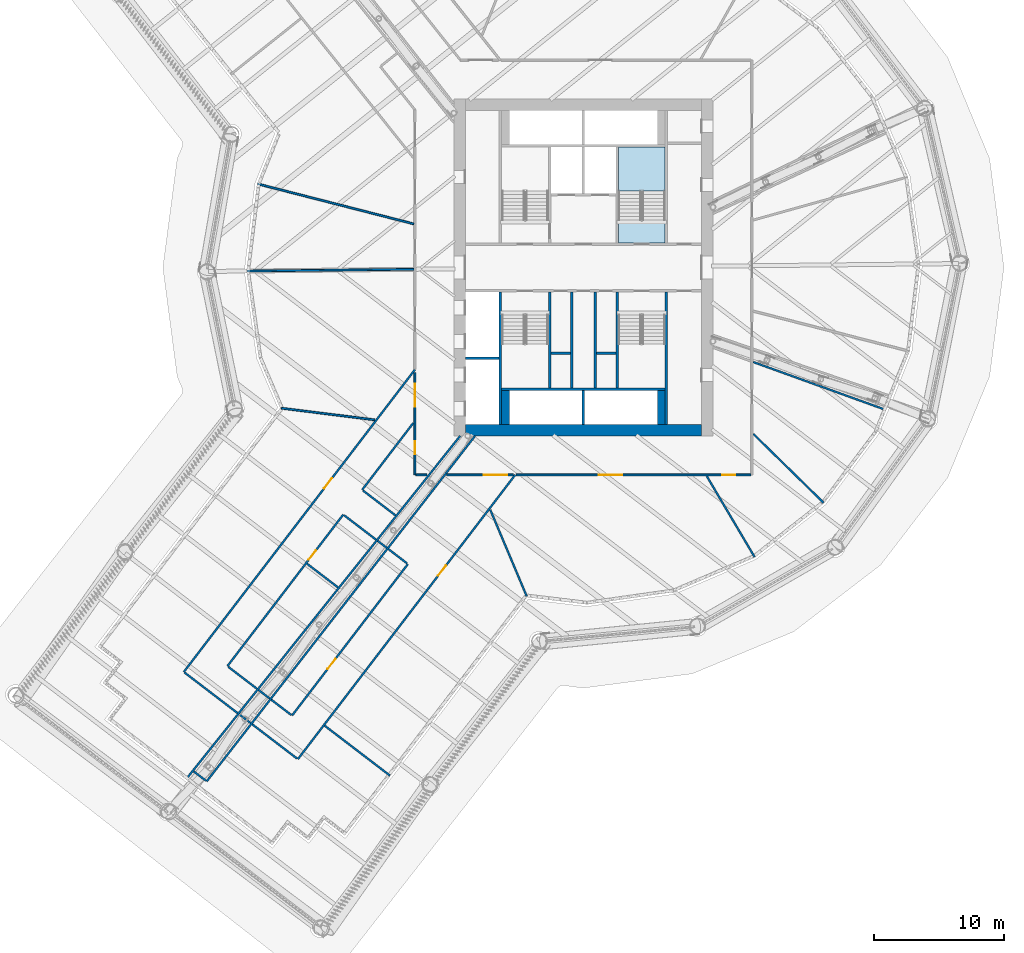
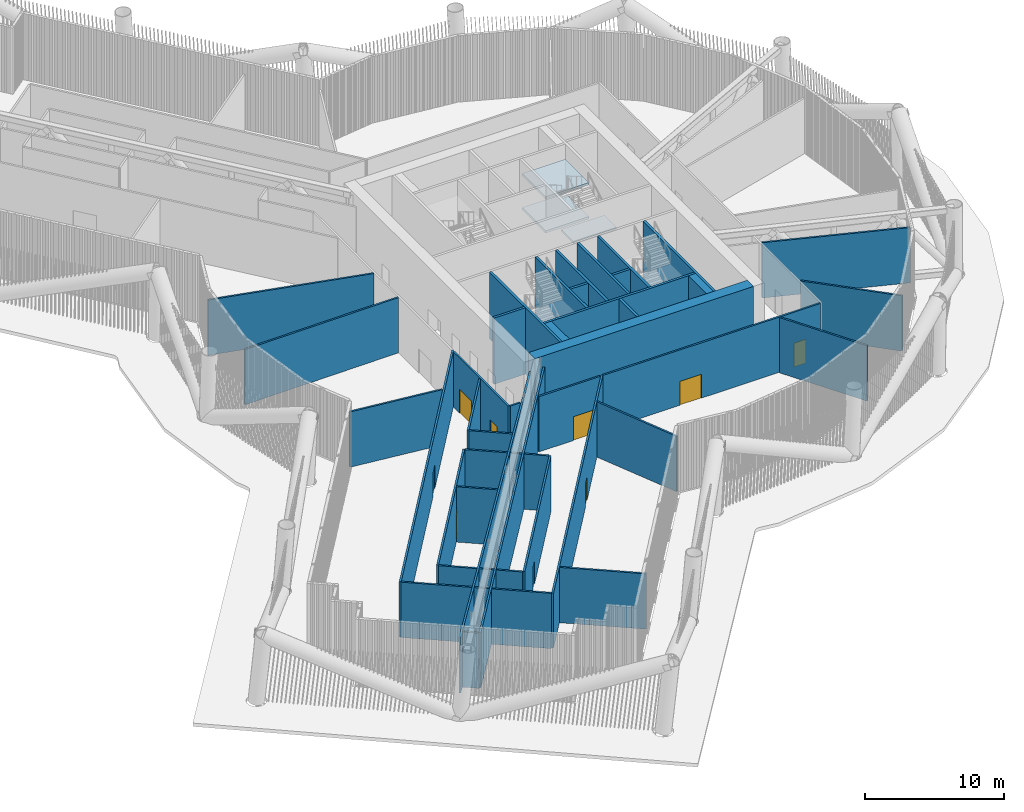
# One storey, part 15 of 48: 45 walls, 9 doors, 3 slabs, 9 openings, 1 element without a shape of its own.
"""IFC4 building model written with IfcOpenShell, lengths in metres."""

from ifc_helpers import new_model, si_unit, direction, frame, frame_2d, origin, place, context, subcontext, project, spatial, polyline, rectangle, outline, extrude, material, layer, layer_set, type_object, element, fill, aggregate, save


model = new_model("IFC4")

# Units and contexts
model_context = context("Model", 3, precision=1e-05, world=origin(), true_north=direction((0.0, 1.0)))
body_context = subcontext(model_context, "Body", "Model", "MODEL_VIEW")
ifc_project = project(units=[si_unit("LENGTHUNIT", "METRE"), si_unit("AREAUNIT", "SQUARE_METRE"), si_unit("VOLUMEUNIT", "CUBIC_METRE"), si_unit("PLANEANGLEUNIT", "RADIAN"), si_unit("MASSUNIT", "GRAM", prefix="KILO")], contexts=[model_context])

# Site, building, storey
site_placement = place(None, origin())
site = spatial("IfcSite", under=ifc_project, at=site_placement, CompositionType="ELEMENT")
building_placement = place(site_placement, origin())
building = spatial("IfcBuilding", under=site, at=building_placement, Name="Tarsis Ring Headquarters", CompositionType="ELEMENT")
storey_placement = place(building_placement, frame((0.0, 0.0, 34.0)))
storey = spatial("IfcBuildingStorey", under=building, at=storey_placement, Name="L06", CompositionType="ELEMENT", Elevation=34.0)

# Stair, slabs
ifc_material_1 = material(Name="Core stair 1760")
stair_type = type_object("IfcStairType", Name="Core stair 1760", PredefinedType="HALF_TURN_STAIR", material=ifc_material_1)
stair_placement = place(storey_placement, origin())
stair = element("IfcStair", 1, at=stair_placement, inside=storey, type_object=stair_type, Name="L06 Exit stair B", PredefinedType="HALF_TURN_STAIR")
ifc_material_2 = material(Name="Concrete C40/50", Category="concrete")
ifc_layer_1 = layer(ifc_material_2, 0.199951171875)
ifc_layer_set_1 = layer_set([ifc_layer_1], Name="Core stair landing 200")
slab_type = type_object("IfcSlabType", Name="Core stair landing 200", PredefinedType="LANDING", material=ifc_layer_set_1)
slab_1_placement = place(storey_placement, frame((0.0, 0.0, 1.300048828125)))
slab_1 = element("IfcSlab", 2, at=slab_1_placement, type_object=slab_type, Name="Stair ST2 landing 1", PredefinedType="LANDING", context=body_context, shape_type="SweptSolid", body=[
    extrude(outline(polyline([(6.300048828125, 5.89990234375), (6.300048828125, 9.300048828125), (2.699951171875, 9.300048828125), (2.699951171875, 5.89990234375), (6.300048828125, 5.89990234375)])), origin(), (0.0, 0.0, 1.0), 0.199951171875),
])
slab_2_placement = place(storey_placement, frame((0.0, 0.0, 2.800048828125)))
slab_2 = element("IfcSlab", 3, at=slab_2_placement, type_object=slab_type, Name="Stair ST2 landing 2", PredefinedType="LANDING", context=body_context, shape_type="SweptSolid", body=[
    extrude(outline(polyline([(6.300048828125, 1.89990234375), (6.300048828125, 3.659912109375), (2.699951171875, 3.659912109375), (2.699951171875, 1.89990234375), (6.300048828125, 1.89990234375)])), origin(), (0.0, 0.0, 1.0), 0.199951171875),
])
slab_3_placement = place(storey_placement, frame((0.0, 0.0, 4.300048828125)))
slab_3 = element("IfcSlab", 4, at=slab_3_placement, type_object=slab_type, Name="Stair ST2 landing 3", PredefinedType="LANDING", context=body_context, shape_type="SweptSolid", body=[
    extrude(outline(polyline([(6.300048828125, 5.89990234375), (6.300048828125, 9.300048828125), (2.699951171875, 9.300048828125), (2.699951171875, 5.89990234375), (6.300048828125, 5.89990234375)])), origin(), (0.0, 0.0, 1.0), 0.199951171875),
])
aggregate(stair, [slab_1, slab_2, slab_3])

# Walls
ifc_material_3 = material(Name="Blockwork", Category="masonry")
ifc_layer_2 = layer(ifc_material_3, 0.199951171875)
ifc_layer_set_2 = layer_set([ifc_layer_2], Name="Core blockwork wall 200")
wall_type_1 = type_object("IfcWallType", Name="Core blockwork wall 200", PredefinedType="PARTITIONING", material=ifc_layer_set_2)
for number, where, z_axis, x_axis, name in (
    (5, (-2.5, -6.60009765625, 0.0), (0.0, 0.0, 1.0), (1.0, 0.0, 0.0), "Core partition SP1"),
    (6, (1.0, -6.60009765625, 0.0), (0.0, 0.0, 1.0), (1.0, 0.0, 0.0), "Core partition SP3"),
):
    element("IfcWall", number, at=place(storey_placement, frame(where, z_axis=z_axis, x_axis=x_axis)), inside=storey, type_object=wall_type_1, Name=name, PredefinedType="PARTITIONING", context=body_context, shape_type="SweptSolid", body=[
        extrude(rectangle(XDim=1.5, YDim=0.199951171875, at=frame_2d((0.75, 0.0))), origin(), (0.0, 0.0, 1.0), 5.840087890625),
    ])
for number, where, z_axis, x_axis, name in (
    (7, (-0.89990234375, -9.300048828125, 0.0), (0.0, 0.0, 1.0), (0.0, 1.0, 0.0), "Core partition SV1"),
    (8, (0.89990234375, -9.300048828125, 0.0), (0.0, 0.0, 1.0), (0.0, 1.0, 0.0), "Core partition SV2"),
):
    element("IfcWall", number, at=place(storey_placement, frame(where, z_axis=z_axis, x_axis=x_axis)), inside=storey, type_object=wall_type_1, Name=name, PredefinedType="PARTITIONING", context=body_context, shape_type="SweptSolid", body=[
        extrude(rectangle(XDim=7.400146484375, YDim=0.199951171875, at=frame_2d((3.7001953125, 0.0))), origin(), (0.0, 0.0, 1.0), 5.840087890625),
    ])
ifc_material_4 = material(Name="Concrete C60/75", Category="concrete")
ifc_layer_3 = layer(ifc_material_4, 0.89990234375)
ifc_layer_set_3 = layer_set([ifc_layer_3], Name="Core wall 900 C60/75")
wall_type_2 = type_object("IfcWallType", Name="Core wall 900 C60/75", PredefinedType="SHEAR", material=ifc_layer_set_3)
wall_1_placement = place(storey_placement, frame((-9.10009765625, -12.550048828125, 0.0), z_axis=(0.0, 0.0, 1.0), x_axis=(1.0, 0.0, 0.0)))
element("IfcWall", 9, at=wall_1_placement, inside=storey, type_object=wall_type_2, Name="Core wall OS", PredefinedType="SHEAR", context=body_context, shape_type="SweptSolid", body=[
    extrude(rectangle(XDim=18.2001953125, YDim=0.89990234375, at=frame_2d((9.10009765625, 0.0))), origin(), (0.0, 0.0, 1.0), 5.840087890625),
])
ifc_material_5 = material(Name="Gypsum board on steel studs", Category="steel")
ifc_layer_4 = layer(ifc_material_5, 0.14990234375)
ifc_layer_set_4 = layer_set([ifc_layer_4], Name="FL partition 150 EI 120 H4870")
wall_type_3 = type_object("IfcWallType", Name="FL partition 150 EI 120 H4870", PredefinedType="PARTITIONING", material=ifc_layer_set_4)
wall_2_placement = place(storey_placement, frame((-29.06640625, -39.646484375, 0.0), z_axis=(0.0, 0.0, 1.0), x_axis=(0.61350877776, 0.789687900129, 0.0)))
element("IfcWall", 10, at=wall_2_placement, inside=storey, type_object=wall_type_3, Name="Partition PW2H487", PredefinedType="PARTITIONING", context=body_context, shape_type="SweptSolid", body=[
    extrude(rectangle(XDim=33.745849609375, YDim=0.14990234375, at=frame_2d((16.873046875, 0.0))), origin(), (0.0, 0.0, 1.0), 4.8701171875),
])
wall_3_placement = place(storey_placement, frame((-30.631591796875, -39.456787109375, 0.0), z_axis=(0.0, 0.0, 1.0), x_axis=(0.623923510013, 0.781485414869, 0.0)))
element("IfcWall", 11, at=wall_3_placement, inside=storey, type_object=wall_type_3, Name="Partition PW2H487", PredefinedType="PARTITIONING", context=body_context, shape_type="SweptSolid", body=[
    extrude(rectangle(XDim=33.8564453125, YDim=0.14990234375, at=frame_2d((16.92822265625, 0.0))), origin(), (0.0, 0.0, 1.0), 4.8701171875),
])

# Wall, opening, door
wall_4_placement = place(storey_placement, frame((-30.833984375, -31.2080078125, 0.0), z_axis=(0.0, 0.0, 1.0), x_axis=(0.607375108816, 0.794415179356, 0.0)))
wall_4 = element("IfcWall", 12, at=wall_4_placement, inside=storey, type_object=wall_type_3, Name="Partition PW2H487", PredefinedType="PARTITIONING", context=body_context, shape_type="SweptSolid", body=[
    extrude(rectangle(XDim=29.3623046875, YDim=0.14990234375, at=frame_2d((14.68115234375, 0.0))), origin(), (0.0, 0.0, 1.0), 4.8701171875),
])
opening_1_placement = place(wall_4_placement, frame((17.820068359375, 0.0, 0.0)))
opening_1 = element("IfcOpeningElement", 13, at=opening_1_placement, cuts=wall_4, Name="Opening D06.05", PredefinedType="OPENING", context=body_context, shape_type="SweptSolid", body=[
    extrude(rectangle(XDim=1.0, YDim=2.10009765625, at=frame_2d((0.5, 1.050048828125))), frame((0.0, 0.0849609375, 0.0), z_axis=(0.0, -1.0, 0.0), x_axis=(1.0, 0.0, 0.0)), (0.0, 0.0, 1.0), 0.169921875),
])
ifc_material_6 = material(Name="Fire-rated timber door leaf in steel frame", Category="steel")
door_type_1 = type_object("IfcDoorType", Name="FL door FD120-1000", OperationType="NOTDEFINED", PredefinedType="DOOR", material=ifc_material_6)
door_1_placement = place(opening_1_placement, origin())
door_1 = element("IfcDoor", 14, at=door_1_placement, inside=storey, type_object=door_type_1, Name="Door D06.05", OperationType="SINGLE_SWING_LEFT", OverallHeight=2.10009765625, OverallWidth=1.0, PredefinedType="DOOR", context=body_context, shape_type="SweptSolid", body=[
    extrude(rectangle(XDim=1.0, YDim=2.10009765625, at=frame_2d((0.5, 1.050048828125))), frame((0.0, 0.02490234375, 0.0), z_axis=(0.0, -1.0, 0.0), x_axis=(1.0, 0.0, 0.0)), (0.0, 0.0, 1.0), 0.050048828125),
])
fill(opening_1, door_1)

# Wall, openings, doors
wall_5_placement = place(storey_placement, frame((-13.0, -15.9990234375, 0.0), z_axis=(0.0, 0.0, 1.0), x_axis=(0.0, 1.0, 0.0)))
wall_5 = element("IfcWall", 15, at=wall_5_placement, inside=storey, type_object=wall_type_3, Name="Partition PW2H487", PredefinedType="PARTITIONING", context=body_context, shape_type="SweptSolid", body=[
    extrude(rectangle(XDim=7.895263671875, YDim=0.14990234375, at=frame_2d((3.94775390625, 0.0))), origin(), (0.0, 0.0, 1.0), 4.8701171875),
])
opening_2_placement = place(wall_5_placement, frame((1.582763671875, 0.0, 0.0)))
opening_2 = element("IfcOpeningElement", 16, at=opening_2_placement, cuts=wall_5, Name="Opening D06.17", PredefinedType="OPENING", context=body_context, shape_type="SweptSolid", body=[
    extrude(rectangle(XDim=1.0, YDim=2.10009765625, at=frame_2d((0.5, 1.050048828125))), frame((0.0, 0.0849609375, 0.0), z_axis=(0.0, -1.0, 0.0), x_axis=(1.0, 0.0, 0.0)), (0.0, 0.0, 1.0), 0.169921875),
])
opening_3_placement = place(wall_5_placement, frame((5.2412109375, 0.0, 0.0)))
opening_3 = element("IfcOpeningElement", 17, at=opening_3_placement, cuts=wall_5, Name="Opening D06.21", PredefinedType="OPENING", context=body_context, shape_type="SweptSolid", body=[
    extrude(rectangle(XDim=1.800048828125, YDim=2.10009765625, at=frame_2d((0.89990234375, 1.050048828125))), frame((0.0, 0.0849609375, 0.0), z_axis=(0.0, -1.0, 0.0), x_axis=(1.0, 0.0, 0.0)), (0.0, 0.0, 1.0), 0.169921875),
])
door_2_placement = place(opening_2_placement, origin())
door_2 = element("IfcDoor", 18, at=door_2_placement, inside=storey, type_object=door_type_1, Name="Door D06.17", OperationType="SINGLE_SWING_LEFT", OverallHeight=2.10009765625, OverallWidth=1.0, PredefinedType="DOOR", context=body_context, shape_type="SweptSolid", body=[
    extrude(rectangle(XDim=1.0, YDim=2.10009765625, at=frame_2d((0.5, 1.050048828125))), frame((0.0, 0.02490234375, 0.0), z_axis=(0.0, -1.0, 0.0), x_axis=(1.0, 0.0, 0.0)), (0.0, 0.0, 1.0), 0.050048828125),
])
fill(opening_2, door_2)
door_type_2 = type_object("IfcDoorType", Name="FL door FD120-1800", OperationType="DOUBLE_DOOR_SINGLE_SWING", PredefinedType="DOOR", material=ifc_material_6)
door_3_placement = place(opening_3_placement, origin())
door_3 = element("IfcDoor", 19, at=door_3_placement, inside=storey, type_object=door_type_2, Name="Door D06.21", OperationType="DOUBLE_DOOR_SINGLE_SWING", OverallHeight=2.10009765625, OverallWidth=1.800048828125, PredefinedType="DOOR", context=body_context, shape_type="SweptSolid", body=[
    extrude(rectangle(XDim=1.800048828125, YDim=2.10009765625, at=frame_2d((0.89990234375, 1.050048828125))), frame((0.0, 0.02490234375, 0.0), z_axis=(0.0, -1.0, 0.0), x_axis=(1.0, 0.0, 0.0)), (0.0, 0.0, 1.0), 0.050048828125),
])
fill(opening_3, door_3)

# Wall, opening, door
wall_6_placement = place(storey_placement, frame((-22.031982421875, -37.937744140625, 0.0), z_axis=(0.0, 0.0, 1.0), x_axis=(0.607376598349, 0.794414040522, 0.0)))
wall_6 = element("IfcWall", 20, at=wall_6_placement, inside=storey, type_object=wall_type_3, Name="Partition PW2H487", PredefinedType="PARTITIONING", context=body_context, shape_type="SweptSolid", body=[
    extrude(rectangle(XDim=27.614990234375, YDim=0.14990234375, at=frame_2d((13.8076171875, 0.0))), origin(), (0.0, 0.0, 1.0), 4.8701171875),
])
opening_4_placement = place(wall_6_placement, frame((17.81982421875, 0.0, 0.0)))
opening_4 = element("IfcOpeningElement", 21, at=opening_4_placement, cuts=wall_6, Name="Opening D06.16", PredefinedType="OPENING", context=body_context, shape_type="SweptSolid", body=[
    extrude(rectangle(XDim=1.0, YDim=2.10009765625, at=frame_2d((0.5, 1.050048828125))), frame((0.0, 0.0849609375, 0.0), z_axis=(0.0, -1.0, 0.0), x_axis=(1.0, 0.0, 0.0)), (0.0, 0.0, 1.0), 0.169921875),
])
door_4_placement = place(opening_4_placement, origin())
door_4 = element("IfcDoor", 22, at=door_4_placement, inside=storey, type_object=door_type_1, Name="Door D06.16", OperationType="SINGLE_SWING_RIGHT", OverallHeight=2.10009765625, OverallWidth=1.0, PredefinedType="DOOR", context=body_context, shape_type="SweptSolid", body=[
    extrude(rectangle(XDim=1.0, YDim=2.10009765625, at=frame_2d((0.5, 1.050048828125))), frame((0.0, 0.02490234375, 0.0), z_axis=(0.0, -1.0, 0.0), x_axis=(1.0, 0.0, 0.0)), (0.0, 0.0, 1.0), 0.050048828125),
])
fill(opening_4, door_4)

wall_7_placement = place(storey_placement, frame((-10.55078125, -16.0, 0.0), z_axis=(0.0, 0.0, 1.0), x_axis=(1.0, 0.0, 0.0)))
wall_7 = element("IfcWall", 23, at=wall_7_placement, inside=storey, type_object=wall_type_3, Name="Partition PW2H487", PredefinedType="PARTITIONING", context=body_context, shape_type="SweptSolid", body=[
    extrude(rectangle(XDim=5.139892578125, YDim=0.14990234375, at=frame_2d((2.56982421875, 0.0))), origin(), (0.0, 0.0, 1.0), 4.8701171875),
])
opening_5_placement = place(wall_7_placement, frame((2.881103515625, 0.0, 0.0)))
opening_5 = element("IfcOpeningElement", 24, at=opening_5_placement, cuts=wall_7, Name="Opening D06.20", PredefinedType="OPENING", context=body_context, shape_type="SweptSolid", body=[
    extrude(rectangle(XDim=1.800048828125, YDim=2.10009765625, at=frame_2d((0.89990234375, 1.050048828125))), frame((0.0, 0.0849609375, 0.0), z_axis=(0.0, -1.0, 0.0), x_axis=(1.0, 0.0, 0.0)), (0.0, 0.0, 1.0), 0.169921875),
])
door_5_placement = place(opening_5_placement, origin())
door_5 = element("IfcDoor", 25, at=door_5_placement, inside=storey, type_object=door_type_2, Name="Door D06.20", OperationType="DOUBLE_DOOR_SINGLE_SWING", OverallHeight=2.10009765625, OverallWidth=1.800048828125, PredefinedType="DOOR", context=body_context, shape_type="SweptSolid", body=[
    extrude(rectangle(XDim=1.800048828125, YDim=2.10009765625, at=frame_2d((0.89990234375, 1.050048828125))), frame((0.0, 0.02490234375, 0.0), z_axis=(0.0, -1.0, 0.0), x_axis=(1.0, 0.0, 0.0)), (0.0, 0.0, 1.0), 0.050048828125),
])
fill(opening_5, door_5)

# Wall, openings, doors
wall_8_placement = place(storey_placement, frame((-5.19970703125, -16.0, 0.0), z_axis=(0.0, 0.0, 1.0), x_axis=(1.0, 0.0, 0.0)))
wall_8 = element("IfcWall", 26, at=wall_8_placement, inside=storey, type_object=wall_type_3, Name="Partition PW2H487", PredefinedType="PARTITIONING", context=body_context, shape_type="SweptSolid", body=[
    extrude(rectangle(XDim=18.11962890625, YDim=0.14990234375, at=frame_2d((9.059814453125, 0.0))), origin(), (0.0, 0.0, 1.0), 4.8701171875),
])
opening_6_placement = place(wall_8_placement, frame((15.930908203125, 0.0, 0.0)))
opening_6 = element("IfcOpeningElement", 27, at=opening_6_placement, cuts=wall_8, Name="Opening D06.14", PredefinedType="OPENING", context=body_context, shape_type="SweptSolid", body=[
    extrude(rectangle(XDim=1.0, YDim=2.10009765625, at=frame_2d((0.5, 1.050048828125))), frame((0.0, 0.0849609375, 0.0), z_axis=(0.0, -1.0, 0.0), x_axis=(1.0, 0.0, 0.0)), (0.0, 0.0, 1.0), 0.169921875),
])
opening_7_placement = place(wall_8_placement, frame((6.401123046875, 0.0, 0.0)))
opening_7 = element("IfcOpeningElement", 28, at=opening_7_placement, cuts=wall_8, Name="Opening D06.15", PredefinedType="OPENING", context=body_context, shape_type="SweptSolid", body=[
    extrude(rectangle(XDim=1.800048828125, YDim=2.10009765625, at=frame_2d((0.89990234375, 1.050048828125))), frame((0.0, 0.0849609375, 0.0), z_axis=(0.0, -1.0, 0.0), x_axis=(1.0, 0.0, 0.0)), (0.0, 0.0, 1.0), 0.169921875),
])
door_6_placement = place(opening_6_placement, origin())
door_6 = element("IfcDoor", 29, at=door_6_placement, inside=storey, type_object=door_type_1, Name="Door D06.14", OperationType="SINGLE_SWING_RIGHT", OverallHeight=2.10009765625, OverallWidth=1.0, PredefinedType="DOOR", context=body_context, shape_type="SweptSolid", body=[
    extrude(rectangle(XDim=1.0, YDim=2.10009765625, at=frame_2d((0.5, 1.050048828125))), frame((0.0, 0.02490234375, 0.0), z_axis=(0.0, -1.0, 0.0), x_axis=(1.0, 0.0, 0.0)), (0.0, 0.0, 1.0), 0.050048828125),
])
fill(opening_6, door_6)
door_7_placement = place(opening_7_placement, origin())
door_7 = element("IfcDoor", 30, at=door_7_placement, inside=storey, type_object=door_type_2, Name="Door D06.15", OperationType="DOUBLE_DOOR_SINGLE_SWING", OverallHeight=2.10009765625, OverallWidth=1.800048828125, PredefinedType="DOOR", context=body_context, shape_type="SweptSolid", body=[
    extrude(rectangle(XDim=1.800048828125, YDim=2.10009765625, at=frame_2d((0.89990234375, 1.050048828125))), frame((0.0, 0.02490234375, 0.0), z_axis=(0.0, -1.0, 0.0), x_axis=(1.0, 0.0, 0.0)), (0.0, 0.0, 1.0), 0.050048828125),
])
fill(opening_7, door_7)

# Wall, opening, door
wall_9_placement = place(storey_placement, frame((-22.480712890625, -34.573486328125, 0.0), z_axis=(0.0, 0.0, 1.0), x_axis=(0.607367610453, 0.79442091222, 0.0)))
wall_9 = element("IfcWall", 31, at=wall_9_placement, inside=storey, type_object=wall_type_3, Name="Partition PW2H487", PredefinedType="PARTITIONING", context=body_context, shape_type="SweptSolid", body=[
    extrude(rectangle(XDim=14.719970703125, YDim=0.14990234375, at=frame_2d((7.35986328125, 0.0))), origin(), (0.0, 0.0, 1.0), 4.8701171875),
])
opening_8_placement = place(wall_9_placement, frame((4.505859375, 0.0, 0.0)))
opening_8 = element("IfcOpeningElement", 32, at=opening_8_placement, cuts=wall_9, Name="Opening D06.18", PredefinedType="OPENING", context=body_context, shape_type="SweptSolid", body=[
    extrude(rectangle(XDim=1.0, YDim=2.10009765625, at=frame_2d((0.5, 1.050048828125))), frame((0.0, 0.0849609375, 0.0), z_axis=(0.0, -1.0, 0.0), x_axis=(1.0, 0.0, 0.0)), (0.0, 0.0, 1.0), 0.169921875),
])
door_8_placement = place(opening_8_placement, origin())
door_8 = element("IfcDoor", 33, at=door_8_placement, inside=storey, type_object=door_type_1, Name="Door D06.18", OperationType="SINGLE_SWING_RIGHT", OverallHeight=2.10009765625, OverallWidth=1.0, PredefinedType="DOOR", context=body_context, shape_type="SweptSolid", body=[
    extrude(rectangle(XDim=1.0, YDim=2.10009765625, at=frame_2d((0.5, 1.050048828125))), frame((0.0, 0.02490234375, 0.0), z_axis=(0.0, -1.0, 0.0), x_axis=(1.0, 0.0, 0.0)), (0.0, 0.0, 1.0), 0.050048828125),
])
fill(opening_8, door_8)

wall_10_placement = place(storey_placement, frame((-27.468505859375, -30.757568359375, 0.0), z_axis=(0.0, 0.0, 1.0), x_axis=(0.607371293255, 0.794418096552, 0.0)))
wall_10 = element("IfcWall", 34, at=wall_10_placement, inside=storey, type_object=wall_type_3, Name="Partition PW2H487", PredefinedType="PARTITIONING", context=body_context, shape_type="SweptSolid", body=[
    extrude(rectangle(XDim=14.7177734375, YDim=0.14990234375, at=frame_2d((7.35888671875, 0.0))), origin(), (0.0, 0.0, 1.0), 4.8701171875),
])
opening_9_placement = place(wall_10_placement, frame((10.3330078125, 0.0, 0.0)))
opening_9 = element("IfcOpeningElement", 35, at=opening_9_placement, cuts=wall_10, Name="Opening D06.19", PredefinedType="OPENING", context=body_context, shape_type="SweptSolid", body=[
    extrude(rectangle(XDim=0.89990234375, YDim=2.10009765625, at=frame_2d((0.449951171875, 1.050048828125))), frame((0.0, 0.0849609375, 0.0), z_axis=(0.0, -1.0, 0.0), x_axis=(1.0, 0.0, 0.0)), (0.0, 0.0, 1.0), 0.169921875),
])
door_type_3 = type_object("IfcDoorType", Name="FL door FD120-900", OperationType="NOTDEFINED", PredefinedType="DOOR", material=ifc_material_6)
door_9_placement = place(opening_9_placement, origin())
door_9 = element("IfcDoor", 36, at=door_9_placement, inside=storey, type_object=door_type_3, Name="Door D06.19", OperationType="SINGLE_SWING_LEFT", OverallHeight=2.10009765625, OverallWidth=0.89990234375, PredefinedType="DOOR", context=body_context, shape_type="SweptSolid", body=[
    extrude(rectangle(XDim=0.89990234375, YDim=2.10009765625, at=frame_2d((0.449951171875, 1.050048828125))), frame((0.0, 0.02490234375, 0.0), z_axis=(0.0, -1.0, 0.0), x_axis=(1.0, 0.0, 0.0)), (0.0, 0.0, 1.0), 0.050048828125),
])
fill(opening_9, door_9)

# Walls
wall_11_placement = place(storey_placement, frame((13.1005859375, -7.291259765625, 0.0), z_axis=(0.0, 0.0, 1.0), x_axis=(0.940583820312, -0.339561595248, 0.0)))
element("IfcWall", 37, at=wall_11_placement, inside=storey, type_object=wall_type_3, Name="Partition PW2H487", PredefinedType="PARTITIONING", context=body_context, shape_type="SweptSolid", body=[
    extrude(rectangle(XDim=10.859619140625, YDim=0.14990234375, at=frame_2d((5.4296875, 0.0))), origin(), (0.0, 0.0, 1.0), 4.8701171875),
])
wall_12_placement = place(storey_placement, frame((-25.9462890625, -0.271728515625, 0.0), z_axis=(0.0, 0.0, 1.0), x_axis=(0.999945148161, 0.010473808763, 0.0)))
element("IfcWall", 38, at=wall_12_placement, inside=storey, type_object=wall_type_3, Name="Partition PW2H487", PredefinedType="PARTITIONING", context=body_context, shape_type="SweptSolid", body=[
    extrude(rectangle(XDim=12.866943359375, YDim=0.14990234375, at=frame_2d((6.43359375, 0.0))), origin(), (0.0, 0.0, 1.0), 4.8701171875),
])
wall_13_placement = place(storey_placement, frame((-25.132568359375, 6.452880859375, 0.0), z_axis=(0.0, 0.0, 1.0), x_axis=(0.968582429618, -0.248692736195, 0.0)))
element("IfcWall", 39, at=wall_13_placement, inside=storey, type_object=wall_type_3, Name="Partition PW2H487", PredefinedType="PARTITIONING", context=body_context, shape_type="SweptSolid", body=[
    extrude(rectangle(XDim=12.43603515625, YDim=0.14990234375, at=frame_2d((6.218017578125, 0.0))), origin(), (0.0, 0.0, 1.0), 4.8701171875),
])
wall_14_placement = place(storey_placement, frame((-30.7705078125, -31.256591796875, 0.0), z_axis=(0.0, 0.0, 1.0), x_axis=(0.794413004114, -0.607377953909, 0.0)))
element("IfcWall", 40, at=wall_14_placement, inside=storey, type_object=wall_type_3, Name="Partition PW2H487", PredefinedType="PARTITIONING", context=body_context, shape_type="SweptSolid", body=[
    extrude(rectangle(XDim=5.1494140625, YDim=0.14990234375, at=frame_2d((2.57470703125, 0.0))), origin(), (0.0, 0.0, 1.0), 4.8701171875),
])
wall_15_placement = place(storey_placement, frame((-26.55810546875, -34.477294921875, 0.0), z_axis=(0.0, 0.0, 1.0), x_axis=(0.794500776974, -0.607263135212, 0.0)))
element("IfcWall", 41, at=wall_15_placement, inside=storey, type_object=wall_type_3, Name="Partition PW2H487", PredefinedType="PARTITIONING", context=body_context, shape_type="SweptSolid", body=[
    extrude(rectangle(XDim=1.11474609375, YDim=0.14990234375, at=frame_2d((0.557373046875, 0.0))), origin(), (0.0, 0.0, 1.0), 4.8701171875),
])
wall_16_placement = place(storey_placement, frame((-25.55224609375, -35.24609375, 0.0), z_axis=(0.0, 0.0, 1.0), x_axis=(0.794376943603, -0.607425115938, 0.0)))
element("IfcWall", 42, at=wall_16_placement, inside=storey, type_object=wall_type_3, Name="Partition PW2H487", PredefinedType="PARTITIONING", context=body_context, shape_type="SweptSolid", body=[
    extrude(rectangle(XDim=4.351318359375, YDim=0.14990234375, at=frame_2d((2.17578125, 0.0))), origin(), (0.0, 0.0, 1.0), 4.8701171875),
])
wall_17_placement = place(storey_placement, frame((13.1142578125, -12.842529296875, 0.0), z_axis=(0.0, 0.0, 1.0), x_axis=(0.714479617614, -0.69965625561, 0.0)))
element("IfcWall", 43, at=wall_17_placement, inside=storey, type_object=wall_type_3, Name="Partition PW2H487", PredefinedType="PARTITIONING", context=body_context, shape_type="SweptSolid", body=[
    extrude(rectangle(XDim=7.5927734375, YDim=0.14990234375, at=frame_2d((3.79638671875, 0.0))), origin(), (0.0, 0.0, 1.0), 4.8701171875),
])
wall_18_placement = place(storey_placement, frame((-23.308837890625, -10.853271484375, 0.0), z_axis=(0.0, 0.0, 1.0), x_axis=(0.992226635026, -0.124443982356, 0.0)))
element("IfcWall", 44, at=wall_18_placement, inside=storey, type_object=wall_type_3, Name="Partition PW2H487", PredefinedType="PARTITIONING", context=body_context, shape_type="SweptSolid", body=[
    extrude(rectangle(XDim=7.2685546875, YDim=0.14990234375, at=frame_2d((3.63427734375, 0.0))), origin(), (0.0, 0.0, 1.0), 4.8701171875),
])
wall_19_placement = place(storey_placement, frame((9.5234375, -16.103271484375, 0.0), z_axis=(0.0, 0.0, 1.0), x_axis=(0.50903491642, -0.860745870664, 0.0)))
element("IfcWall", 45, at=wall_19_placement, inside=storey, type_object=wall_type_3, Name="Partition PW2H487", PredefinedType="PARTITIONING", context=body_context, shape_type="SweptSolid", body=[
    extrude(rectangle(XDim=7.2392578125, YDim=0.14990234375, at=frame_2d((3.61962890625, 0.0))), origin(), (0.0, 0.0, 1.0), 4.8701171875),
])
wall_20_placement = place(storey_placement, frame((-7.18505859375, -18.692626953125, 0.0), z_axis=(0.0, 0.0, 1.0), x_axis=(0.3883105007, -0.921528596977, 0.0)))
element("IfcWall", 46, at=wall_20_placement, inside=storey, type_object=wall_type_3, Name="Partition PW2H487", PredefinedType="PARTITIONING", context=body_context, shape_type="SweptSolid", body=[
    extrude(rectangle(XDim=7.23291015625, YDim=0.14990234375, at=frame_2d((3.616455078125, 0.0))), origin(), (0.0, 0.0, 1.0), 4.8701171875),
])
wall_21_placement = place(storey_placement, frame((-17.071533203125, -17.15869140625, 0.0), z_axis=(0.0, 0.0, 1.0), x_axis=(0.607380432546, 0.794411109036, 0.0)))
element("IfcWall", 47, at=wall_21_placement, inside=storey, type_object=wall_type_3, Name="Partition PW2H487", PredefinedType="PARTITIONING", context=body_context, shape_type="SweptSolid", body=[
    extrude(rectangle(XDim=6.503173828125, YDim=0.14990234375, at=frame_2d((3.25146484375, 0.0))), origin(), (0.0, 0.0, 1.0), 4.8701171875),
])
wall_22_placement = place(storey_placement, frame((-18.465576171875, -19.114013671875, 0.0), z_axis=(0.0, 0.0, 1.0), x_axis=(0.794424699969, -0.607362656145, 0.0)))
element("IfcWall", 48, at=wall_22_placement, inside=storey, type_object=wall_type_3, Name="Partition PW2H487", PredefinedType="PARTITIONING", context=body_context, shape_type="SweptSolid", body=[
    extrude(rectangle(XDim=3.10888671875, YDim=0.14990234375, at=frame_2d((1.554443359375, 0.0))), origin(), (0.0, 0.0, 1.0), 4.8701171875),
])
wall_23_placement = place(storey_placement, frame((-15.8740234375, -21.09521484375, 0.0), z_axis=(0.0, 0.0, 1.0), x_axis=(0.794389051258, -0.607409281491, 0.0)))
element("IfcWall", 49, at=wall_23_placement, inside=storey, type_object=wall_type_3, Name="Partition PW2H487", PredefinedType="PARTITIONING", context=body_context, shape_type="SweptSolid", body=[
    extrude(rectangle(XDim=0.887939453125, YDim=0.14990234375, at=frame_2d((0.44384765625, 0.0))), origin(), (0.0, 0.0, 1.0), 4.8701171875),
])
wall_24_placement = place(storey_placement, frame((-15.048583984375, -21.726318359375, 0.0), z_axis=(0.0, 0.0, 1.0), x_axis=(0.794392122727, -0.607405264505, 0.0)))
element("IfcWall", 50, at=wall_24_placement, inside=storey, type_object=wall_type_3, Name="Partition PW2H487", PredefinedType="PARTITIONING", context=body_context, shape_type="SweptSolid", body=[
    extrude(rectangle(XDim=1.81884765625, YDim=0.14990234375, at=frame_2d((0.909423828125, 0.0))), origin(), (0.0, 0.0, 1.0), 4.8701171875),
])
wall_25_placement = place(storey_placement, frame((-27.404541015625, -30.80908203125, 0.0), z_axis=(0.0, 0.0, 1.0), x_axis=(0.794437086406, -0.607346454458, 0.0)))
element("IfcWall", 51, at=wall_25_placement, inside=storey, type_object=wall_type_3, Name="Partition PW2H487", PredefinedType="PARTITIONING", context=body_context, shape_type="SweptSolid", body=[
    extrude(rectangle(XDim=2.7978515625, YDim=0.14990234375, at=frame_2d((1.39892578125, 0.0))), origin(), (0.0, 0.0, 1.0), 4.8701171875),
])
wall_26_placement = place(storey_placement, frame((-25.060302734375, -32.601318359375, 0.0), z_axis=(0.0, 0.0, 1.0), x_axis=(0.794447409311, -0.607332951386, 0.0)))
element("IfcWall", 52, at=wall_26_placement, inside=storey, type_object=wall_type_3, Name="Partition PW2H487", PredefinedType="PARTITIONING", context=body_context, shape_type="SweptSolid", body=[
    extrude(rectangle(XDim=1.0830078125, YDim=0.14990234375, at=frame_2d((0.54150390625, 0.0))), origin(), (0.0, 0.0, 1.0), 4.8701171875),
])
wall_27_placement = place(storey_placement, frame((-24.079833984375, -33.350830078125, 0.0), z_axis=(0.0, 0.0, 1.0), x_axis=(0.794372173784, -0.607431353749, 0.0)))
element("IfcWall", 53, at=wall_27_placement, inside=storey, type_object=wall_type_3, Name="Partition PW2H487", PredefinedType="PARTITIONING", context=body_context, shape_type="SweptSolid", body=[
    extrude(rectangle(XDim=1.932861328125, YDim=0.14990234375, at=frame_2d((0.96630859375, 0.0))), origin(), (0.0, 0.0, 1.0), 4.8701171875),
])
wall_28_placement = place(storey_placement, frame((-19.9580078125, -35.35693359375, 0.0), z_axis=(0.0, 0.0, 1.0), x_axis=(0.794425704431, -0.607361342316, 0.0)))
element("IfcWall", 54, at=wall_28_placement, inside=storey, type_object=wall_type_3, Name="Partition PW2H487", PredefinedType="PARTITIONING", context=body_context, shape_type="SweptSolid", body=[
    extrude(rectangle(XDim=6.329833984375, YDim=0.14990234375, at=frame_2d((3.1650390625, 0.0))), origin(), (0.0, 0.0, 1.0), 4.8701171875),
])
wall_29_placement = place(storey_placement, frame((-17.0078125, -17.20751953125, 0.0), z_axis=(0.0, 0.0, 1.0), x_axis=(0.794436824178, -0.607346797464, 0.0)))
element("IfcWall", 55, at=wall_29_placement, inside=storey, type_object=wall_type_3, Name="Partition PW2H487", PredefinedType="PARTITIONING", context=body_context, shape_type="SweptSolid", body=[
    extrude(rectangle(XDim=3.157958984375, YDim=0.14990234375, at=frame_2d((1.5791015625, 0.0))), origin(), (0.0, 0.0, 1.0), 4.8701171875),
])
wall_30_placement = place(storey_placement, frame((-21.326416015625, -22.855712890625, 0.0), z_axis=(0.0, 0.0, 1.0), x_axis=(0.794445342946, -0.607335654372, 0.0)))
element("IfcWall", 56, at=wall_30_placement, inside=storey, type_object=wall_type_3, Name="Partition PW2H487", PredefinedType="PARTITIONING", context=body_context, shape_type="SweptSolid", body=[
    extrude(rectangle(XDim=3.0087890625, YDim=0.14990234375, at=frame_2d((1.50439453125, 0.0))), origin(), (0.0, 0.0, 1.0), 4.8701171875),
])
wall_31_placement = place(storey_placement, frame((-30.06689453125, -38.881591796875, 0.0), z_axis=(0.0, 0.0, 1.0), x_axis=(0.794392980942, -0.607404142092, 0.0)))
element("IfcWall", 57, at=wall_31_placement, inside=storey, type_object=wall_type_3, Name="Partition PW2H487", PredefinedType="PARTITIONING", context=body_context, shape_type="SweptSolid", body=[
    extrude(rectangle(XDim=1.182861328125, YDim=0.14990234375, at=frame_2d((0.59130859375, 0.0))), origin(), (0.0, 0.0, 1.0), 4.8701171875),
])
wall_32_placement = place(storey_placement, frame((-12.9189453125, -16.0, 0.0), z_axis=(0.0, 0.0, 1.0), x_axis=(1.0, 0.0, 0.0)))
element("IfcWall", 58, at=wall_32_placement, inside=storey, type_object=wall_type_3, Name="Partition PW2H487", PredefinedType="PARTITIONING", context=body_context, shape_type="SweptSolid", body=[
    extrude(rectangle(XDim=0.8515625, YDim=0.14990234375, at=frame_2d((0.42578125, 0.0))), origin(), (0.0, 0.0, 1.0), 4.8701171875),
])
ifc_material_7 = material(Name="Concrete C32/40", Category="concrete")
ifc_layer_5 = layer(ifc_material_7, 0.60009765625)
ifc_layer_set_5 = layer_set([ifc_layer_5], Name="Shaft end wall 600 C32/40")
wall_type_4 = type_object("IfcWallType", Name="Shaft end wall 600 C32/40", PredefinedType="SOLIDWALL", material=ifc_layer_set_5)
for number, where, z_axis, x_axis, name in (
    (59, (-6.0, -12.10009765625, 0.0), (0.0, 0.0, 1.0), (0.0, 1.0, 0.0), "Core shaft wall SNE1"),
    (60, (6.0, -12.10009765625, 0.0), (0.0, 0.0, 1.0), (0.0, 1.0, 0.0), "Core shaft wall SNE2"),
):
    element("IfcWall", number, at=place(storey_placement, frame(where, z_axis=z_axis, x_axis=x_axis)), inside=storey, type_object=wall_type_4, Name=name, PredefinedType="SOLIDWALL", context=body_context, shape_type="SweptSolid", body=[
        extrude(rectangle(XDim=2.60009765625, YDim=0.60009765625, at=frame_2d((1.300048828125, 0.0))), origin(), (0.0, 0.0, 1.0), 5.840087890625),
    ])
ifc_layer_6 = layer(ifc_material_7, 0.199951171875)
ifc_layer_set_6 = layer_set([ifc_layer_6], Name="Shaft wall 200 C32/40")
wall_type_5 = type_object("IfcWallType", Name="Shaft wall 200 C32/40", PredefinedType="SOLIDWALL", material=ifc_layer_set_6)
for number, where, z_axis, x_axis, name in (
    (61, (-6.39990234375, -12.10009765625, 0.0), (0.0, 0.0, 1.0), (0.0, 1.0, 0.0), "Core shaft wall WB1"),
    (62, (6.39990234375, -12.10009765625, 0.0), (0.0, 0.0, 1.0), (0.0, 1.0, 0.0), "Core shaft wall EB1"),
):
    element("IfcWall", number, at=place(storey_placement, frame(where, z_axis=z_axis, x_axis=x_axis)), inside=storey, type_object=wall_type_5, Name=name, PredefinedType="SOLIDWALL", context=body_context, shape_type="SweptSolid", body=[
        extrude(rectangle(XDim=10.2001953125, YDim=0.199951171875, at=frame_2d((5.10009765625, 0.0))), origin(), (0.0, 0.0, 1.0), 5.840087890625),
    ])
wall_33_placement = place(storey_placement, frame((-6.300048828125, -9.39990234375, 0.0), z_axis=(0.0, 0.0, 1.0), x_axis=(1.0, 0.0, 0.0)))
element("IfcWall", 63, at=wall_33_placement, inside=storey, type_object=wall_type_5, Name="Core shaft wall SB", PredefinedType="SOLIDWALL", context=body_context, shape_type="SweptSolid", body=[
    extrude(rectangle(XDim=12.60009765625, YDim=0.199951171875, at=frame_2d((6.300048828125, 0.0))), origin(), (0.0, 0.0, 1.0), 5.840087890625),
])
for number, where, z_axis, x_axis, name in (
    (64, (-2.60009765625, -9.300048828125, 0.0), (0.0, 0.0, 1.0), (0.0, 1.0, 0.0), "Core shaft wall SW3"),
    (65, (2.60009765625, -9.300048828125, 0.0), (0.0, 0.0, 1.0), (0.0, 1.0, 0.0), "Core shaft wall SW4"),
):
    element("IfcWall", number, at=place(storey_placement, frame(where, z_axis=z_axis, x_axis=x_axis)), inside=storey, type_object=wall_type_5, Name=name, PredefinedType="SOLIDWALL", context=body_context, shape_type="SweptSolid", body=[
        extrude(rectangle(XDim=7.400146484375, YDim=0.199951171875, at=frame_2d((3.7001953125, 0.0))), origin(), (0.0, 0.0, 1.0), 5.840087890625),
    ])
for number, where, z_axis, x_axis, name in (
    (66, (-9.10009765625, -7.0, 0.0), (0.0, 0.0, 1.0), (1.0, 0.0, 0.0), "Core shaft wall WD2"),
    (67, (0.0, -12.10009765625, 0.0), (0.0, 0.0, 1.0), (0.0, 1.0, 0.0), "Core shaft wall SD2"),
):
    element("IfcWall", number, at=place(storey_placement, frame(where, z_axis=z_axis, x_axis=x_axis)), inside=storey, type_object=wall_type_5, Name=name, PredefinedType="SOLIDWALL", context=body_context, shape_type="SweptSolid", body=[
        extrude(rectangle(XDim=2.60009765625, YDim=0.199951171875, at=frame_2d((1.300048828125, 0.0))), origin(), (0.0, 0.0, 1.0), 5.840087890625),
    ])

save(model, "model.ifc")
